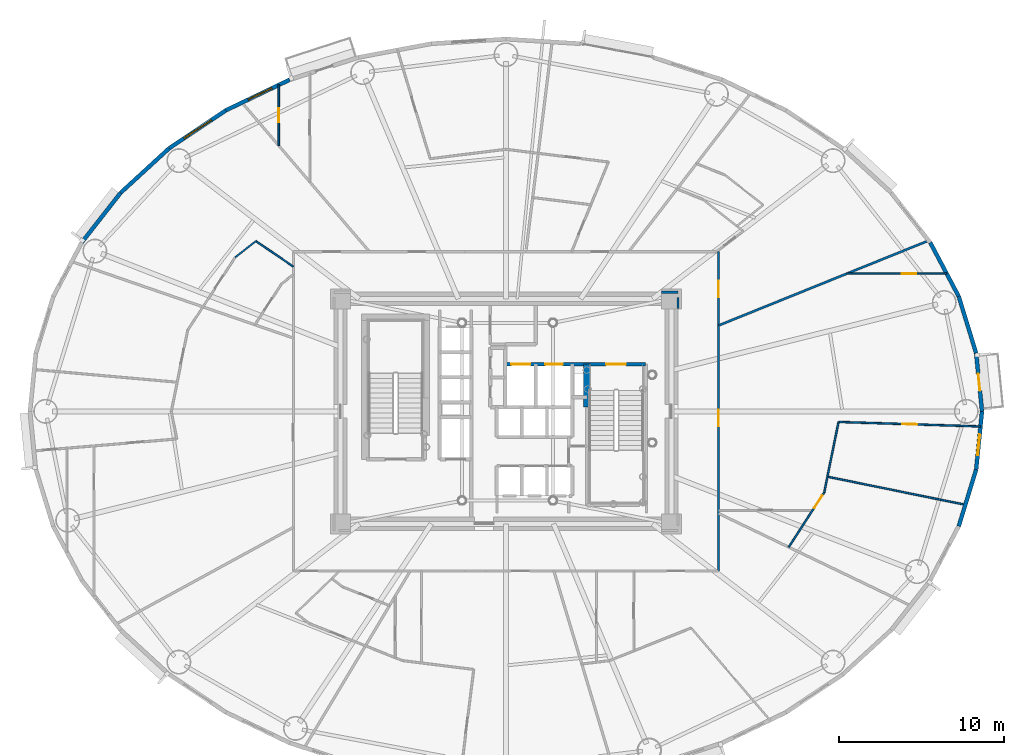
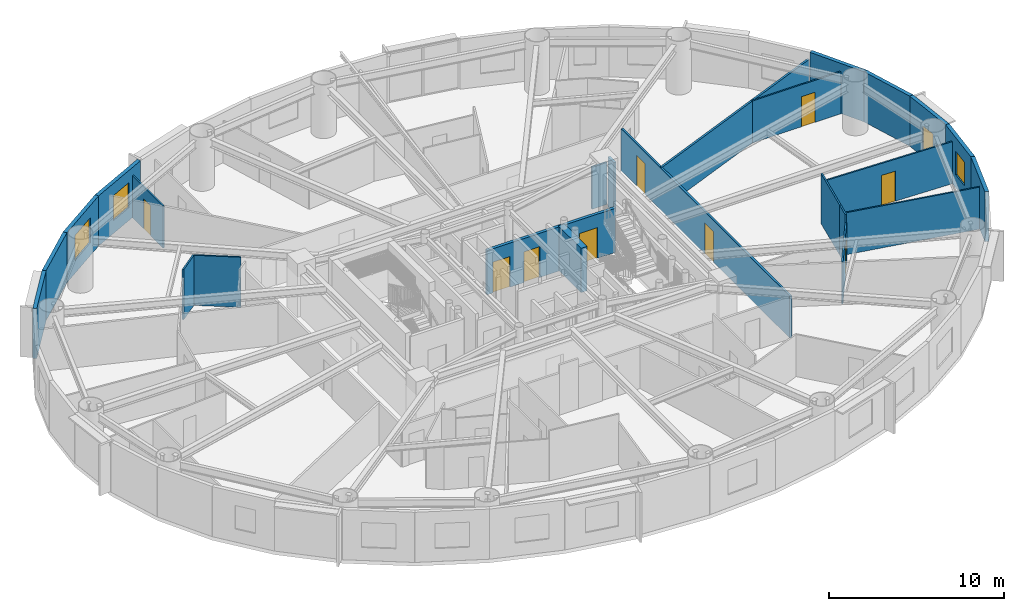
# One storey, part 10 of 18: 24 walls, 10 doors, 3 windows, 13 openings.
"""IFC4 building model written with IfcOpenShell, lengths in metres."""

from ifc_helpers import new_model, si_unit, direction, frame, frame_2d, origin, origin_2d, place, context, subcontext, project, spatial, rectangle, extrude, source, transform, mapped, material, layer, layer_set, type_object, element, fill, save


model = new_model("IFC4")

# Units and contexts
model_context = context("Model", 3, precision=1e-05, world=origin(), true_north=direction((0.0, 1.0)))
body_context = subcontext(model_context, "Body", "Model", "MODEL_VIEW")
ifc_project = project(units=[si_unit("LENGTHUNIT", "METRE"), si_unit("AREAUNIT", "SQUARE_METRE"), si_unit("VOLUMEUNIT", "CUBIC_METRE"), si_unit("PLANEANGLEUNIT", "RADIAN"), si_unit("MASSUNIT", "GRAM", prefix="KILO")], contexts=[model_context])

# Site, building, storey
site_placement = place(None, origin())
site = spatial("IfcSite", under=ifc_project, at=site_placement, CompositionType="ELEMENT")
building_placement = place(site_placement, origin())
building = spatial("IfcBuilding", under=site, at=building_placement, Name="Linh Dai School and Residence Tower", CompositionType="ELEMENT")
storey_placement = place(building_placement, frame((0.0, 0.0, 104.699951171875)))
storey = spatial("IfcBuildingStorey", under=building, at=storey_placement, Name="L24", CompositionType="ELEMENT", Elevation=104.699951171875)

# Wall, opening, door
ifc_material_1 = material(Name="Precast Concrete B45 (C35/45)", Category="concrete")
ifc_layer_1 = layer(ifc_material_1, 0.239990234375)
ifc_layer_set_1 = layer_set([ifc_layer_1], Name="Precast Concrete B45 (C35/45)")
wall_type_1 = type_object("IfcWallType", Name="EW-TC-240", PredefinedType="SOLIDWALL", material=ifc_layer_set_1)
wall_1_placement = place(storey_placement, frame((64.421630859375, 30.515380859375, 0.0), z_axis=(0.0, 0.0, 1.0), x_axis=(0.099989468229, -0.994988495533, 0.0)))
wall_1 = element("IfcWall", 1, at=wall_1_placement, inside=storey, type_object=wall_type_1, Name="L24 Terracotta Exterior Wall 01", PredefinedType="SOLIDWALL", context=body_context, shape_type="SweptSolid", body=[
    extrude(rectangle(XDim=3.533203125, YDim=0.239990234375, at=frame_2d((1.7666015625, 0.0))), origin(), (0.0, 0.0, 1.0), 3.5),
])
opening_1_placement = place(wall_1_placement, frame((1.241455078125, 0.0, 0.0)))
opening_1 = element("IfcOpeningElement", 2, at=opening_1_placement, cuts=wall_1, Name="Opening BD1", PredefinedType="OPENING", context=body_context, shape_type="SweptSolid", body=[
    extrude(rectangle(XDim=1.050048828125, YDim=2.14990234375, at=origin_2d()), frame((0.52490234375, 0.1298828125, 1.074951171875), z_axis=(0.0, -1.0, 0.0), x_axis=(1.0, 0.0, 0.0)), (0.0, 0.0, 1.0), 0.260009765625),
])
ifc_material_2 = material(Name="Double-Glazed Balcony Door", Category="glass")
door_type_1 = type_object("IfcDoorType", Name="DR-BALC-1050x2150", OperationType="NOTDEFINED", PredefinedType="DOOR", material=ifc_material_2)
shared_shape_1 = source(origin(), body_context, "Body", "SweptSolid", [
    extrude(rectangle(XDim=1.050048828125, YDim=2.14990234375, at=origin_2d()), frame((0.52490234375, 0.02490234375, 1.074951171875), z_axis=(0.0, -1.0, 0.0), x_axis=(1.0, 0.0, 0.0)), (0.0, 0.0, 1.0), 0.050048828125),
])
door_1_placement = place(opening_1_placement, origin())
door_1 = element("IfcDoor", 3, at=door_1_placement, inside=storey, type_object=door_type_1, Name="L24 Glazed Balcony Door 01", OperationType="SINGLE_SWING_RIGHT", OverallHeight=2.14990234375, OverallWidth=1.050048828125, PredefinedType="DOOR", context=body_context, shape_type="MappedRepresentation", body=[
    mapped(shared_shape_1, transform((0.0, 0.0, 0.0), x_axis=(1.0, 0.0, 0.0), y_axis=(0.0, 1.0, 0.0), z_axis=(0.0, 0.0, 1.0), scale=1.0)),
])
fill(opening_1, door_1)

# Walls
wall_2_placement = place(storey_placement, frame((63.3701171875, 33.945068359375, 0.0), z_axis=(0.0, 0.0, 1.0), x_axis=(0.293124431344, -0.956074300329, 0.0)))
element("IfcWall", 4, at=wall_2_placement, inside=storey, type_object=wall_type_1, Name="L24 Terracotta Exterior Wall 02", PredefinedType="SOLIDWALL", context=body_context, shape_type="SweptSolid", body=[
    extrude(rectangle(XDim=3.587158203125, YDim=0.239990234375, at=frame_2d((1.79345703125, 0.0))), origin(), (0.0, 0.0, 1.0), 3.5),
])
wall_3_placement = place(storey_placement, frame((61.645263671875, 37.20556640625, 0.0), z_axis=(0.0, 0.0, 1.0), x_axis=(0.467614004126, -0.883932770716, 0.0)))
element("IfcWall", 5, at=wall_3_placement, inside=storey, type_object=wall_type_1, Name="L24 Terracotta Exterior Wall 03", PredefinedType="SOLIDWALL", context=body_context, shape_type="SweptSolid", body=[
    extrude(rectangle(XDim=3.688720703125, YDim=0.239990234375, at=frame_2d((1.84423828125, 0.0))), origin(), (0.0, 0.0, 1.0), 3.5),
])

# Wall, opening, window
wall_4_placement = place(storey_placement, frame((19.07470703125, 45.199462890625, 0.0), z_axis=(0.0, 0.0, 1.0), x_axis=(0.901589935876, 0.432591709962, 0.0)))
wall_4 = element("IfcWall", 6, at=wall_4_placement, inside=storey, type_object=wall_type_1, Name="L24 Terracotta Exterior Wall 14", PredefinedType="SOLIDWALL", context=body_context, shape_type="SweptSolid", body=[
    extrude(rectangle(XDim=4.271728515625, YDim=0.239990234375, at=frame_2d((2.1357421875, 0.0))), origin(), (0.0, 0.0, 1.0), 3.5),
])
opening_2_placement = place(wall_4_placement, frame((1.492919921875, 0.0, 0.89990234375)))
opening_2 = element("IfcOpeningElement", 7, at=opening_2_placement, cuts=wall_4, Name="Opening W2", PredefinedType="OPENING", context=body_context, shape_type="SweptSolid", body=[
    extrude(rectangle(XDim=1.60009765625, YDim=1.75, at=origin_2d()), frame((0.800048828125, 0.1298828125, 0.875), z_axis=(0.0, -1.0, 0.0), x_axis=(1.0, 0.0, 0.0)), (0.0, 0.0, 1.0), 0.260009765625),
])
ifc_material_3 = material(Name="Double Low-E Insulated Glazing", Category="glass")
window_type_1 = type_object("IfcWindowType", Name="WN-RES-1600x1750", PartitioningType="DOUBLE_PANEL_VERTICAL", PredefinedType="WINDOW", material=ifc_material_3)
shared_shape_2 = source(origin(), body_context, "Body", "SweptSolid", [
    extrude(rectangle(XDim=1.60009765625, YDim=1.75, at=origin_2d()), frame((0.800048828125, 0.030029296875, 0.875), z_axis=(0.0, -1.0, 0.0), x_axis=(1.0, 0.0, 0.0)), (0.0, 0.0, 1.0), 0.06005859375),
])
window_1_placement = place(opening_2_placement, origin())
window_1 = element("IfcWindow", 8, at=window_1_placement, inside=storey, type_object=window_type_1, Name="L24 Exterior Window 14.1", OverallHeight=1.75, OverallWidth=1.60009765625, PartitioningType="DOUBLE_PANEL_VERTICAL", PredefinedType="WINDOW", context=body_context, shape_type="MappedRepresentation", body=[
    mapped(shared_shape_2, transform((0.0, 0.0, 0.0), x_axis=(1.0, 0.0, 0.0), y_axis=(0.0, 1.0, 0.0), z_axis=(0.0, 0.0, 1.0), scale=1.0)),
])
fill(opening_2, window_1)

wall_5_placement = place(storey_placement, frame((15.6416015625, 42.9033203125, 0.0), z_axis=(0.0, 0.0, 1.0), x_axis=(0.831221811447, 0.555940914284, 0.0)))
wall_5 = element("IfcWall", 9, at=wall_5_placement, inside=storey, type_object=wall_type_1, Name="L24 Terracotta Exterior Wall 15", PredefinedType="SOLIDWALL", context=body_context, shape_type="SweptSolid", body=[
    extrude(rectangle(XDim=4.130126953125, YDim=0.239990234375, at=frame_2d((2.06494140625, 0.0))), origin(), (0.0, 0.0, 1.0), 3.5),
])
opening_3_placement = place(wall_5_placement, frame((1.065185546875, 0.0, 0.89990234375)))
opening_3 = element("IfcOpeningElement", 10, at=opening_3_placement, cuts=wall_5, Name="Opening W1", PredefinedType="OPENING", context=body_context, shape_type="SweptSolid", body=[
    extrude(rectangle(XDim=2.0, YDim=1.75, at=origin_2d()), frame((1.0, 0.1298828125, 0.875), z_axis=(0.0, -1.0, 0.0), x_axis=(1.0, 0.0, 0.0)), (0.0, 0.0, 1.0), 0.260009765625),
])
window_type_2 = type_object("IfcWindowType", Name="WN-RES-2000x1750", PartitioningType="DOUBLE_PANEL_VERTICAL", PredefinedType="WINDOW", material=ifc_material_3)
shared_shape_3 = source(origin(), body_context, "Body", "SweptSolid", [
    extrude(rectangle(XDim=2.0, YDim=1.75, at=origin_2d()), frame((1.0, 0.030029296875, 0.875), z_axis=(0.0, -1.0, 0.0), x_axis=(1.0, 0.0, 0.0)), (0.0, 0.0, 1.0), 0.06005859375),
])
window_2_placement = place(opening_3_placement, origin())
window_2 = element("IfcWindow", 11, at=window_2_placement, inside=storey, type_object=window_type_2, Name="L24 Exterior Window 15.1", OverallHeight=1.75, OverallWidth=2.0, PartitioningType="DOUBLE_PANEL_VERTICAL", PredefinedType="WINDOW", context=body_context, shape_type="MappedRepresentation", body=[
    mapped(shared_shape_3, transform((0.0, 0.0, 0.0), x_axis=(1.0, 0.0, 0.0), y_axis=(0.0, 1.0, 0.0), z_axis=(0.0, 0.0, 1.0), scale=1.0)),
])
fill(opening_3, window_2)

# Walls
wall_6_placement = place(storey_placement, frame((12.7109375, 40.216552734375, 0.0), z_axis=(0.0, 0.0, 1.0), x_axis=(0.737113356241, 0.675769117414, 0.0)))
element("IfcWall", 12, at=wall_6_placement, inside=storey, type_object=wall_type_1, Name="L24 Terracotta Exterior Wall 16", PredefinedType="SOLIDWALL", context=body_context, shape_type="SweptSolid", body=[
    extrude(rectangle(XDim=3.975830078125, YDim=0.239990234375, at=frame_2d((1.98779296875, 0.0))), origin(), (0.0, 0.0, 1.0), 3.5),
])
wall_7_placement = place(storey_placement, frame((10.354736328125, 37.20556640625, 0.0), z_axis=(0.0, 0.0, 1.0), x_axis=(0.616272103517, 0.787533297345, 0.0)))
element("IfcWall", 13, at=wall_7_placement, inside=storey, type_object=wall_type_1, Name="L24 Terracotta Exterior Wall 17", PredefinedType="SOLIDWALL", context=body_context, shape_type="SweptSolid", body=[
    extrude(rectangle(XDim=3.8232421875, YDim=0.239990234375, at=frame_2d((1.91162109375, 0.0))), origin(), (0.0, 0.0, 1.0), 3.5),
])
wall_8_placement = place(storey_placement, frame((64.421630859375, 23.484619140625, 0.0), z_axis=(0.0, 0.0, 1.0), x_axis=(-0.293124431344, -0.956074300329, 0.0)))
element("IfcWall", 14, at=wall_8_placement, inside=storey, type_object=wall_type_1, Name="L24 Terracotta Exterior Wall 39", PredefinedType="SOLIDWALL", context=body_context, shape_type="SweptSolid", body=[
    extrude(rectangle(XDim=3.587158203125, YDim=0.239990234375, at=frame_2d((1.79345703125, 0.0))), origin(), (0.0, 0.0, 1.0), 3.5),
])

# Wall, opening, window
wall_9_placement = place(storey_placement, frame((64.77490234375, 27.0, 0.0), z_axis=(0.0, 0.0, 1.0), x_axis=(-0.099989468229, -0.994988495533, 0.0)))
wall_9 = element("IfcWall", 15, at=wall_9_placement, inside=storey, type_object=wall_type_1, Name="L24 Terracotta Exterior Wall 40", PredefinedType="SOLIDWALL", context=body_context, shape_type="SweptSolid", body=[
    extrude(rectangle(XDim=3.533203125, YDim=0.239990234375, at=frame_2d((1.7666015625, 0.0))), origin(), (0.0, 0.0, 1.0), 3.5),
])
opening_4_placement = place(wall_9_placement, frame((1.408447265625, 0.0, 0.89990234375)))
opening_4 = element("IfcOpeningElement", 16, at=opening_4_placement, cuts=wall_9, Name="Opening W3", PredefinedType="OPENING", context=body_context, shape_type="SweptSolid", body=[
    extrude(rectangle(XDim=1.25, YDim=1.64990234375, at=origin_2d()), frame((0.625, 0.1298828125, 0.824951171875), z_axis=(0.0, -1.0, 0.0), x_axis=(1.0, 0.0, 0.0)), (0.0, 0.0, 1.0), 0.260009765625),
])
window_type_3 = type_object("IfcWindowType", Name="WN-RES-1250x1650", PartitioningType="SINGLE_PANEL", PredefinedType="WINDOW", material=ifc_material_3)
shared_shape_4 = source(origin(), body_context, "Body", "SweptSolid", [
    extrude(rectangle(XDim=1.25, YDim=1.64990234375, at=origin_2d()), frame((0.625, 0.030029296875, 0.824951171875), z_axis=(0.0, -1.0, 0.0), x_axis=(1.0, 0.0, 0.0)), (0.0, 0.0, 1.0), 0.06005859375),
])
window_3_placement = place(opening_4_placement, origin())
window_3 = element("IfcWindow", 17, at=window_3_placement, inside=storey, type_object=window_type_3, Name="L24 Exterior Window 40.1", OverallHeight=1.64990234375, OverallWidth=1.25, PartitioningType="SINGLE_PANEL", PredefinedType="WINDOW", context=body_context, shape_type="MappedRepresentation", body=[
    mapped(shared_shape_4, transform((0.0, 0.0, 0.0), x_axis=(1.0, 0.0, 0.0), y_axis=(0.0, 1.0, 0.0), z_axis=(0.0, 0.0, 1.0), scale=1.0)),
])
fill(opening_4, window_3)

# Wall, openings, doors
ifc_material_4 = material(Name="Autoclaved Aerated Concrete Blockwork", Category="masonry")
ifc_layer_2 = layer(ifc_material_4, 0.135009765625)
ifc_layer_set_2 = layer_set([ifc_layer_2], Name="Autoclaved Aerated Concrete Blockwork")
wall_type_2 = type_object("IfcWallType", Name="IW-CORR-135-EI90", PredefinedType="PARTITIONING", material=ifc_layer_set_2)
wall_10_placement = place(storey_placement, frame((48.85009765625, 17.35009765625, 0.0), z_axis=(0.0, 0.0, 1.0), x_axis=(0.0, 1.0, 0.0)))
wall_10 = element("IfcWall", 18, at=wall_10_placement, inside=storey, type_object=wall_type_2, Name="L24 Interior Partition Wall 086", PredefinedType="PARTITIONING", context=body_context, shape_type="SweptSolid", body=[
    extrude(rectangle(XDim=19.2998046875, YDim=0.135009765625, at=frame_2d((9.64990234375, 0.0))), origin(), (0.0, 0.0, 1.0), 2.93505859375),
])
opening_5_placement = place(wall_10_placement, frame((16.55078125, 0.0, 0.0)))
opening_5 = element("IfcOpeningElement", 19, at=opening_5_placement, cuts=wall_10, Name="Opening D03", PredefinedType="OPENING", context=body_context, shape_type="SweptSolid", body=[
    extrude(rectangle(XDim=1.0, YDim=2.14990234375, at=origin_2d()), frame((0.5, 0.07763671875, 1.074951171875), z_axis=(0.0, -1.0, 0.0), x_axis=(1.0, 0.0, 0.0)), (0.0, 0.0, 1.0), 0.155029296875),
])
opening_6_placement = place(wall_10_placement, frame((8.752685546875, 0.0, 0.0)))
opening_6 = element("IfcOpeningElement", 20, at=opening_6_placement, cuts=wall_10, Name="Opening D03", PredefinedType="OPENING", context=body_context, shape_type="SweptSolid", body=[
    extrude(rectangle(XDim=1.0, YDim=2.14990234375, at=origin_2d()), frame((0.5, 0.07763671875, 1.074951171875), z_axis=(0.0, -1.0, 0.0), x_axis=(1.0, 0.0, 0.0)), (0.0, 0.0, 1.0), 0.155029296875),
])
ifc_material_5 = material(Name="Fire-Rated Solid Timber Entrance Door", Category="wood")
door_type_2 = type_object("IfcDoorType", Name="DR-FLAT-1000x2150-FD60S", OperationType="NOTDEFINED", PredefinedType="DOOR", material=ifc_material_5)
shared_shape_5 = source(origin(), body_context, "Body", "SweptSolid", [
    extrude(rectangle(XDim=1.0, YDim=2.14990234375, at=origin_2d()), frame((0.5, 0.02490234375, 1.074951171875), z_axis=(0.0, -1.0, 0.0), x_axis=(1.0, 0.0, 0.0)), (0.0, 0.0, 1.0), 0.050048828125),
])
door_2_placement = place(opening_5_placement, origin())
door_2 = element("IfcDoor", 21, at=door_2_placement, inside=storey, type_object=door_type_2, Name="L24 U2401 Apartment Entrance Door", OperationType="SINGLE_SWING_LEFT", OverallHeight=2.14990234375, OverallWidth=1.0, PredefinedType="DOOR", context=body_context, shape_type="MappedRepresentation", body=[
    mapped(shared_shape_5, transform((0.0, 0.0, 0.0), x_axis=(1.0, 0.0, 0.0), y_axis=(0.0, 1.0, 0.0), z_axis=(0.0, 0.0, 1.0), scale=1.0)),
])
fill(opening_5, door_2)
door_3_placement = place(opening_6_placement, origin())
door_3 = element("IfcDoor", 22, at=door_3_placement, inside=storey, type_object=door_type_2, Name="L24 U2409 Apartment Entrance Door", OperationType="SINGLE_SWING_RIGHT", OverallHeight=2.14990234375, OverallWidth=1.0, PredefinedType="DOOR", context=body_context, shape_type="MappedRepresentation", body=[
    mapped(shared_shape_5, transform((0.0, 0.0, 0.0), x_axis=(1.0, 0.0, 0.0), y_axis=(0.0, 1.0, 0.0), z_axis=(0.0, 0.0, 1.0), scale=1.0)),
])
fill(opening_6, door_3)

# Walls
wall_11_placement = place(storey_placement, frame((48.85009765625, 32.191650390625, 0.0), z_axis=(0.0, 0.0, 1.0), x_axis=(0.927181163505, 0.374613253958, 0.0)))
element("IfcWall", 23, at=wall_11_placement, inside=storey, type_object=wall_type_2, Name="L24 Interior Partition Wall 089", PredefinedType="PARTITIONING", context=body_context, shape_type="SweptSolid", body=[
    extrude(rectangle(XDim=13.70556640625, YDim=0.135009765625, at=frame_2d((6.852783203125, 0.0))), origin(), (0.0, 0.0, 1.0), 2.93505859375),
])
wall_12_placement = place(storey_placement, frame((46.39990234375, 34.199951171875, 0.0), z_axis=(0.0, 0.0, 1.0), x_axis=(-1.0, 0.0, 0.0)))
element("IfcWall", 24, at=wall_12_placement, inside=storey, type_object=wall_type_2, Name="L24 Interior Partition Wall 110", PredefinedType="PARTITIONING", context=body_context, shape_type="SweptSolid", body=[
    extrude(rectangle(XDim=0.989990234375, YDim=0.135009765625, at=frame_2d((0.4951171875, 0.0))), origin(), (0.0, 0.0, 1.0), 2.93505859375),
])
wall_13_placement = place(storey_placement, frame((46.39990234375, 33.2099609375, 0.0), z_axis=(0.0, 0.0, 1.0), x_axis=(0.0, 1.0, 0.0)))
element("IfcWall", 25, at=wall_13_placement, inside=storey, type_object=wall_type_2, Name="L24 Interior Partition Wall 117", PredefinedType="PARTITIONING", context=body_context, shape_type="SweptSolid", body=[
    extrude(rectangle(XDim=0.6826171875, YDim=0.135009765625, at=frame_2d((0.34130859375, 0.0))), origin(), (0.0, 0.0, 1.0), 3.5),
])

# Wall, openings, doors
ifc_material_6 = material(Name="Concrete B45 (C35/45)", Category="concrete")
ifc_layer_3 = layer(ifc_material_6, 0.199951171875)
ifc_layer_set_3 = layer_set([ifc_layer_3], Name="Concrete B45 (C35/45)")
wall_type_3 = type_object("IfcWallType", Name="IW-SHAFT-200-EI120", PredefinedType="PARTITIONING", material=ifc_layer_set_3)
wall_14_placement = place(storey_placement, frame((35.949951171875, 29.85009765625, 0.0), z_axis=(0.0, 0.0, 1.0), x_axis=(1.0, 0.0, 0.0)))
wall_14 = element("IfcWall", 26, at=wall_14_placement, inside=storey, type_object=wall_type_3, Name="L24 Interior Partition Wall 053", PredefinedType="PARTITIONING", context=body_context, shape_type="SweptSolid", body=[
    extrude(rectangle(XDim=8.489990234375, YDim=0.199951171875, at=frame_2d((4.2451171875, 0.0))), origin(), (0.0, 0.0, 1.0), 3.0849609375),
])
opening_7_placement = place(wall_14_placement, frame((6.10009765625, 0.0, 0.0)))
opening_7 = element("IfcOpeningElement", 27, at=opening_7_placement, cuts=wall_14, Name="Opening D01", PredefinedType="OPENING", context=body_context, shape_type="SweptSolid", body=[
    extrude(rectangle(XDim=1.199951171875, YDim=2.14990234375, at=origin_2d()), frame((0.60009765625, 0.10986328125, 1.074951171875), z_axis=(0.0, -1.0, 0.0), x_axis=(1.0, 0.0, 0.0)), (0.0, 0.0, 1.0), 0.219970703125),
])
opening_8_placement = place(wall_14_placement, frame((0.3701171875, 0.0, 0.0)))
opening_8 = element("IfcOpeningElement", 28, at=opening_8_placement, cuts=wall_14, Name="Opening LD-FF1", PredefinedType="OPENING", context=body_context, shape_type="SweptSolid", body=[
    extrude(rectangle(XDim=1.14990234375, YDim=2.14990234375, at=origin_2d()), frame((0.574951171875, 0.10986328125, 1.074951171875), z_axis=(0.0, -1.0, 0.0), x_axis=(1.0, 0.0, 0.0)), (0.0, 0.0, 1.0), 0.219970703125),
])
opening_9_placement = place(wall_14_placement, frame((2.425048828125, 0.0, 0.0)))
opening_9 = element("IfcOpeningElement", 29, at=opening_9_placement, cuts=wall_14, Name="Opening LD-SV1", PredefinedType="OPENING", context=body_context, shape_type="SweptSolid", body=[
    extrude(rectangle(XDim=1.050048828125, YDim=2.14990234375, at=origin_2d()), frame((0.52490234375, 0.10986328125, 1.074951171875), z_axis=(0.0, -1.0, 0.0), x_axis=(1.0, 0.0, 0.0)), (0.0, 0.0, 1.0), 0.219970703125),
])
ifc_material_7 = material(Name="Fire-Rated Steel Door Leaf", Category="steel")
door_type_3 = type_object("IfcDoorType", Name="DR-STAIR-1200x2150-FD90S", OperationType="NOTDEFINED", PredefinedType="DOOR", material=ifc_material_7)
shared_shape_6 = source(origin(), body_context, "Body", "SweptSolid", [
    extrude(rectangle(XDim=1.199951171875, YDim=2.14990234375, at=origin_2d()), frame((0.60009765625, 0.02490234375, 1.074951171875), z_axis=(0.0, -1.0, 0.0), x_axis=(1.0, 0.0, 0.0)), (0.0, 0.0, 1.0), 0.050048828125),
])
door_4_placement = place(opening_7_placement, origin())
door_4 = element("IfcDoor", 30, at=door_4_placement, inside=storey, type_object=door_type_3, Name="L24 Core Smokeproof Exit Stair ST2 Door", OperationType="SINGLE_SWING_RIGHT", OverallHeight=2.14990234375, OverallWidth=1.199951171875, PredefinedType="DOOR", context=body_context, shape_type="MappedRepresentation", body=[
    mapped(shared_shape_6, transform((0.0, 0.0, 0.0), x_axis=(1.0, 0.0, 0.0), y_axis=(0.0, 1.0, 0.0), z_axis=(0.0, 0.0, 1.0), scale=1.0)),
])
fill(opening_7, door_4)
ifc_material_8 = material(Name="Fire-Rated Stainless Steel Firefighting Lift Door", Category="steel")
door_type_4 = type_object("IfcDoorType", Name="DR-LD-FF-1150x2150-FD120", OperationType="DOUBLE_DOOR_SLIDING", PredefinedType="USERDEFINED", material=ifc_material_8)
shared_shape_7 = source(origin(), body_context, "Body", "SweptSolid", [
    extrude(rectangle(XDim=1.14990234375, YDim=2.14990234375, at=origin_2d()), frame((0.574951171875, 0.02490234375, 1.074951171875), z_axis=(0.0, -1.0, 0.0), x_axis=(1.0, 0.0, 0.0)), (0.0, 0.0, 1.0), 0.050048828125),
])
door_5_placement = place(opening_8_placement, origin())
door_5 = element("IfcDoor", 31, at=door_5_placement, inside=storey, type_object=door_type_4, Name="L24 Lift FF1 Sliding Landing Door", ObjectType="LANDING DOOR", OperationType="DOUBLE_DOOR_SLIDING", OverallHeight=2.14990234375, OverallWidth=1.14990234375, PredefinedType="USERDEFINED", context=body_context, shape_type="MappedRepresentation", body=[
    mapped(shared_shape_7, transform((0.0, 0.0, 0.0), x_axis=(1.0, 0.0, 0.0), y_axis=(0.0, 1.0, 0.0), z_axis=(0.0, 0.0, 1.0), scale=1.0)),
])
fill(opening_8, door_5)
ifc_material_9 = material(Name="Brushed Stainless Steel Lift Landing Door", Category="steel")
door_type_5 = type_object("IfcDoorType", Name="DR-LD-PASS-1050x2150", OperationType="DOUBLE_DOOR_SLIDING", PredefinedType="USERDEFINED", material=ifc_material_9)
shared_shape_8 = source(origin(), body_context, "Body", "SweptSolid", [
    extrude(rectangle(XDim=1.050048828125, YDim=2.14990234375, at=origin_2d()), frame((0.52490234375, 0.02490234375, 1.074951171875), z_axis=(0.0, -1.0, 0.0), x_axis=(1.0, 0.0, 0.0)), (0.0, 0.0, 1.0), 0.050048828125),
])
door_6_placement = place(opening_9_placement, origin())
door_6 = element("IfcDoor", 32, at=door_6_placement, inside=storey, type_object=door_type_5, Name="L24 Lift SV1 Sliding Landing Door", ObjectType="LANDING DOOR", OperationType="DOUBLE_DOOR_SLIDING", OverallHeight=2.14990234375, OverallWidth=1.050048828125, PredefinedType="USERDEFINED", context=body_context, shape_type="MappedRepresentation", body=[
    mapped(shared_shape_8, transform((0.0, 0.0, 0.0), x_axis=(1.0, 0.0, 0.0), y_axis=(0.0, 1.0, 0.0), z_axis=(0.0, 0.0, 1.0), scale=1.0)),
])
fill(opening_9, door_6)

# Walls
ifc_material_10 = material(Name="Gypsum Plasterboard Acoustic Stud Partition", Category="masonry")
ifc_layer_4 = layer(ifc_material_10, 0.10009765625)
ifc_layer_set_4 = layer_set([ifc_layer_4], Name="Gypsum Plasterboard Acoustic Stud Partition")
wall_type_4 = type_object("IfcWallType", Name="IW-UNIT-100", PredefinedType="PARTITIONING", material=ifc_layer_set_4)
wall_15_placement = place(storey_placement, frame((19.633544921875, 36.31103515625, 0.0), z_axis=(0.0, 0.0, 1.0), x_axis=(0.787313775385, 0.616552527437, 0.0)))
element("IfcWall", 33, at=wall_15_placement, inside=storey, type_object=wall_type_4, Name="L24 Interior Partition Wall 010", PredefinedType="PARTITIONING", context=body_context, shape_type="SweptSolid", body=[
    extrude(rectangle(XDim=1.58984375, YDim=0.10009765625, at=frame_2d((0.794921875, 0.0))), origin(), (0.0, 0.0, 1.0), 3.5),
])
wall_16_placement = place(storey_placement, frame((20.88525390625, 37.291259765625, 0.0), z_axis=(0.0, 0.0, 1.0), x_axis=(0.826581607155, -0.562816885596, 0.0)))
element("IfcWall", 34, at=wall_16_placement, inside=storey, type_object=wall_type_4, Name="L24 Interior Partition Wall 013", PredefinedType="PARTITIONING", context=body_context, shape_type="SweptSolid", body=[
    extrude(rectangle(XDim=2.73974609375, YDim=0.10009765625, at=frame_2d((1.369873046875, 0.0))), origin(), (0.0, 0.0, 1.0), 3.5),
])

# Wall, opening, door
wall_17_placement = place(storey_placement, frame((22.265380859375, 43.064453125, 0.0), z_axis=(0.0, 0.0, 1.0), x_axis=(0.0, 1.0, 0.0)))
wall_17 = element("IfcWall", 35, at=wall_17_placement, inside=storey, type_object=wall_type_4, Name="L24 Interior Partition Wall 014", PredefinedType="PARTITIONING", context=body_context, shape_type="SweptSolid", body=[
    extrude(rectangle(XDim=3.67138671875, YDim=0.10009765625, at=frame_2d((1.835693359375, 0.0))), origin(), (0.0, 0.0, 1.0), 2.93505859375),
])
opening_10_placement = place(wall_17_placement, frame((1.42578125, 0.0, 0.0)))
opening_10 = element("IfcOpeningElement", 36, at=opening_10_placement, cuts=wall_17, Name="Opening D06", PredefinedType="OPENING", context=body_context, shape_type="SweptSolid", body=[
    extrude(rectangle(XDim=0.820068359375, YDim=2.10009765625, at=origin_2d()), frame((0.41015625, 0.06005859375, 1.050048828125), z_axis=(0.0, -1.0, 0.0), x_axis=(1.0, 0.0, 0.0)), (0.0, 0.0, 1.0), 0.1201171875),
])
ifc_material_11 = material(Name="Moisture-Resistant Timber Bathroom Door", Category="wood")
door_type_6 = type_object("IfcDoorType", Name="DR-WET-820x2100", OperationType="NOTDEFINED", PredefinedType="DOOR", material=ifc_material_11)
shared_shape_9 = source(origin(), body_context, "Body", "SweptSolid", [
    extrude(rectangle(XDim=0.820068359375, YDim=2.10009765625, at=origin_2d()), frame((0.41015625, 0.02490234375, 1.050048828125), z_axis=(0.0, -1.0, 0.0), x_axis=(1.0, 0.0, 0.0)), (0.0, 0.0, 1.0), 0.050048828125),
])
door_7_placement = place(opening_10_placement, origin())
door_7 = element("IfcDoor", 37, at=door_7_placement, inside=storey, type_object=door_type_6, Name="L24 Apartment U2403 Bathroom 1 Door", OperationType="SINGLE_SWING_RIGHT", OverallHeight=2.10009765625, OverallWidth=0.820068359375, PredefinedType="DOOR", context=body_context, shape_type="MappedRepresentation", body=[
    mapped(shared_shape_9, transform((0.0, 0.0, 0.0), x_axis=(1.0, 0.0, 0.0), y_axis=(0.0, 1.0, 0.0), z_axis=(0.0, 0.0, 1.0), scale=1.0)),
])
fill(opening_10, door_7)

wall_18_placement = place(storey_placement, frame((53.0869140625, 18.796142578125, 0.0), z_axis=(0.0, 0.0, 1.0), x_axis=(0.545403476424, 0.838173638278, 0.0)))
wall_18 = element("IfcWall", 38, at=wall_18_placement, inside=storey, type_object=wall_type_4, Name="L24 Interior Partition Wall 092", PredefinedType="PARTITIONING", context=body_context, shape_type="SweptSolid", body=[
    extrude(rectangle(XDim=3.94775390625, YDim=0.10009765625, at=frame_2d((1.973876953125, 0.0))), origin(), (0.0, 0.0, 1.0), 2.93505859375),
])
opening_11_placement = place(wall_18_placement, frame((2.82666015625, 0.0, 0.0)))
opening_11 = element("IfcOpeningElement", 39, at=opening_11_placement, cuts=wall_18, Name="Opening D05", PredefinedType="OPENING", context=body_context, shape_type="SweptSolid", body=[
    extrude(rectangle(XDim=0.89990234375, YDim=2.10009765625, at=origin_2d()), frame((0.449951171875, 0.06005859375, 1.050048828125), z_axis=(0.0, -1.0, 0.0), x_axis=(1.0, 0.0, 0.0)), (0.0, 0.0, 1.0), 0.1201171875),
])
ifc_material_12 = material(Name="Engineered Timber Internal Door", Category="wood")
door_type_7 = type_object("IfcDoorType", Name="DR-INT-900x2100", OperationType="NOTDEFINED", PredefinedType="DOOR", material=ifc_material_12)
shared_shape_10 = source(origin(), body_context, "Body", "SweptSolid", [
    extrude(rectangle(XDim=0.89990234375, YDim=2.10009765625, at=origin_2d()), frame((0.449951171875, 0.02490234375, 1.050048828125), z_axis=(0.0, -1.0, 0.0), x_axis=(1.0, 0.0, 0.0)), (0.0, 0.0, 1.0), 0.050048828125),
])
door_8_placement = place(opening_11_placement, origin())
door_8 = element("IfcDoor", 40, at=door_8_placement, inside=storey, type_object=door_type_7, Name="L24 Apartment U2409 Principal Bedroom 1 Door", OperationType="SINGLE_SWING_LEFT", OverallHeight=2.10009765625, OverallWidth=0.89990234375, PredefinedType="DOOR", context=body_context, shape_type="MappedRepresentation", body=[
    mapped(shared_shape_10, transform((0.0, 0.0, 0.0), x_axis=(1.0, 0.0, 0.0), y_axis=(0.0, 1.0, 0.0), z_axis=(0.0, 0.0, 1.0), scale=1.0)),
])
fill(opening_11, door_8)

# Walls
wall_19_placement = place(storey_placement, frame((55.239990234375, 22.10498046875, 0.0), z_axis=(0.0, 0.0, 1.0), x_axis=(0.198113230311, 0.980179140757, 0.0)))
element("IfcWall", 41, at=wall_19_placement, inside=storey, type_object=wall_type_4, Name="L24 Interior Partition Wall 093", PredefinedType="PARTITIONING", context=body_context, shape_type="SweptSolid", body=[
    extrude(rectangle(XDim=0.963623046875, YDim=0.10009765625, at=frame_2d((0.48193359375, 0.0))), origin(), (0.0, 0.0, 1.0), 3.5),
])
wall_20_placement = place(storey_placement, frame((55.432861328125, 23.059326171875, 0.0), z_axis=(0.0, 0.0, 1.0), x_axis=(0.198276597798, 0.980146106846, 0.0)))
element("IfcWall", 42, at=wall_20_placement, inside=storey, type_object=wall_type_4, Name="L24 Interior Partition Wall 094", PredefinedType="PARTITIONING", context=body_context, shape_type="SweptSolid", body=[
    extrude(rectangle(XDim=3.36767578125, YDim=0.10009765625, at=frame_2d((1.683837890625, 0.0))), origin(), (0.0, 0.0, 1.0), 3.5),
])
wall_21_placement = place(storey_placement, frame((55.430908203125, 23.049560546875, 0.0), z_axis=(0.0, 0.0, 1.0), x_axis=(0.979953651871, -0.199225601228, 0.0)))
element("IfcWall", 43, at=wall_21_placement, inside=storey, type_object=wall_type_4, Name="L24 Interior Partition Wall 095", PredefinedType="PARTITIONING", context=body_context, shape_type="SweptSolid", body=[
    extrude(rectangle(XDim=8.51318359375, YDim=0.10009765625, at=frame_2d((4.256591796875, 0.0))), origin(), (0.0, 0.0, 1.0), 2.93505859375),
])

# Wall, opening, door
wall_22_placement = place(storey_placement, frame((56.1005859375, 26.360107421875, 0.0), z_axis=(0.0, 0.0, 1.0), x_axis=(0.999493466978, -0.031824667605, 0.0)))
wall_22 = element("IfcWall", 44, at=wall_22_placement, inside=storey, type_object=wall_type_4, Name="L24 Interior Partition Wall 096", PredefinedType="PARTITIONING", context=body_context, shape_type="SweptSolid", body=[
    extrude(rectangle(XDim=8.592041015625, YDim=0.10009765625, at=frame_2d((4.2958984375, 0.0))), origin(), (0.0, 0.0, 1.0), 2.93505859375),
])
opening_12_placement = place(wall_22_placement, frame((3.845947265625, 0.0, 0.0)))
opening_12 = element("IfcOpeningElement", 45, at=opening_12_placement, cuts=wall_22, Name="Opening D05", PredefinedType="OPENING", context=body_context, shape_type="SweptSolid", body=[
    extrude(rectangle(XDim=0.89990234375, YDim=2.10009765625, at=origin_2d()), frame((0.449951171875, 0.06005859375, 1.050048828125), z_axis=(0.0, -1.0, 0.0), x_axis=(1.0, 0.0, 0.0)), (0.0, 0.0, 1.0), 0.1201171875),
])
door_9_placement = place(opening_12_placement, origin())
door_9 = element("IfcDoor", 46, at=door_9_placement, inside=storey, type_object=door_type_7, Name="L24 Apartment U2409 Study Door", OperationType="SINGLE_SWING_RIGHT", OverallHeight=2.10009765625, OverallWidth=0.89990234375, PredefinedType="DOOR", context=body_context, shape_type="MappedRepresentation", body=[
    mapped(shared_shape_10, transform((0.0, 0.0, 0.0), x_axis=(1.0, 0.0, 0.0), y_axis=(0.0, 1.0, 0.0), z_axis=(0.0, 0.0, 1.0), scale=1.0)),
])
fill(opening_12, door_9)

wall_23_placement = place(storey_placement, frame((56.61474609375, 35.323974609375, 0.0), z_axis=(0.0, 0.0, 1.0), x_axis=(1.0, 0.0, 0.0)))
wall_23 = element("IfcWall", 47, at=wall_23_placement, inside=storey, type_object=wall_type_4, Name="L24 Interior Partition Wall 097", PredefinedType="PARTITIONING", context=body_context, shape_type="SweptSolid", body=[
    extrude(rectangle(XDim=6.031494140625, YDim=0.10009765625, at=frame_2d((3.015625, 0.0))), origin(), (0.0, 0.0, 1.0), 2.93505859375),
])
opening_13_placement = place(wall_23_placement, frame((3.299560546875, 0.0, 0.0)))
opening_13 = element("IfcOpeningElement", 48, at=opening_13_placement, cuts=wall_23, Name="Opening D05", PredefinedType="OPENING", context=body_context, shape_type="SweptSolid", body=[
    extrude(rectangle(XDim=0.89990234375, YDim=2.10009765625, at=origin_2d()), frame((0.449951171875, 0.06005859375, 1.050048828125), z_axis=(0.0, -1.0, 0.0), x_axis=(1.0, 0.0, 0.0)), (0.0, 0.0, 1.0), 0.1201171875),
])
door_10_placement = place(opening_13_placement, origin())
door_10 = element("IfcDoor", 49, at=door_10_placement, inside=storey, type_object=door_type_7, Name="L24 Apartment U2409 Kitchen Door", OperationType="SINGLE_SWING_RIGHT", OverallHeight=2.10009765625, OverallWidth=0.89990234375, PredefinedType="DOOR", context=body_context, shape_type="MappedRepresentation", body=[
    mapped(shared_shape_10, transform((0.0, 0.0, 0.0), x_axis=(1.0, 0.0, 0.0), y_axis=(0.0, 1.0, 0.0), z_axis=(0.0, 0.0, 1.0), scale=1.0)),
])
fill(opening_13, door_10)

# Wall
ifc_layer_5 = layer(ifc_material_6, 0.39990234375)
ifc_layer_set_5 = layer_set([ifc_layer_5], Name="Concrete B45 (C35/45)")
wall_type_5 = type_object("IfcWallType", Name="WL-CORE400", PredefinedType="SHEAR", material=ifc_layer_set_5)
wall_24_placement = place(storey_placement, frame((40.89990234375, 27.25, 0.0), z_axis=(0.0, 0.0, 1.0), x_axis=(0.0, 1.0, 0.0)))
element("IfcWall", 50, at=wall_24_placement, inside=storey, type_object=wall_type_5, Name="L24 Internal Core Shear Wall IE", PredefinedType="SHEAR", context=body_context, shape_type="SweptSolid", body=[
    extrude(rectangle(XDim=2.60009765625, YDim=0.39990234375, at=frame_2d((1.300048828125, 0.0))), origin(), (0.0, 0.0, 1.0), 3.10009765625),
])

save(model, "model.ifc")
